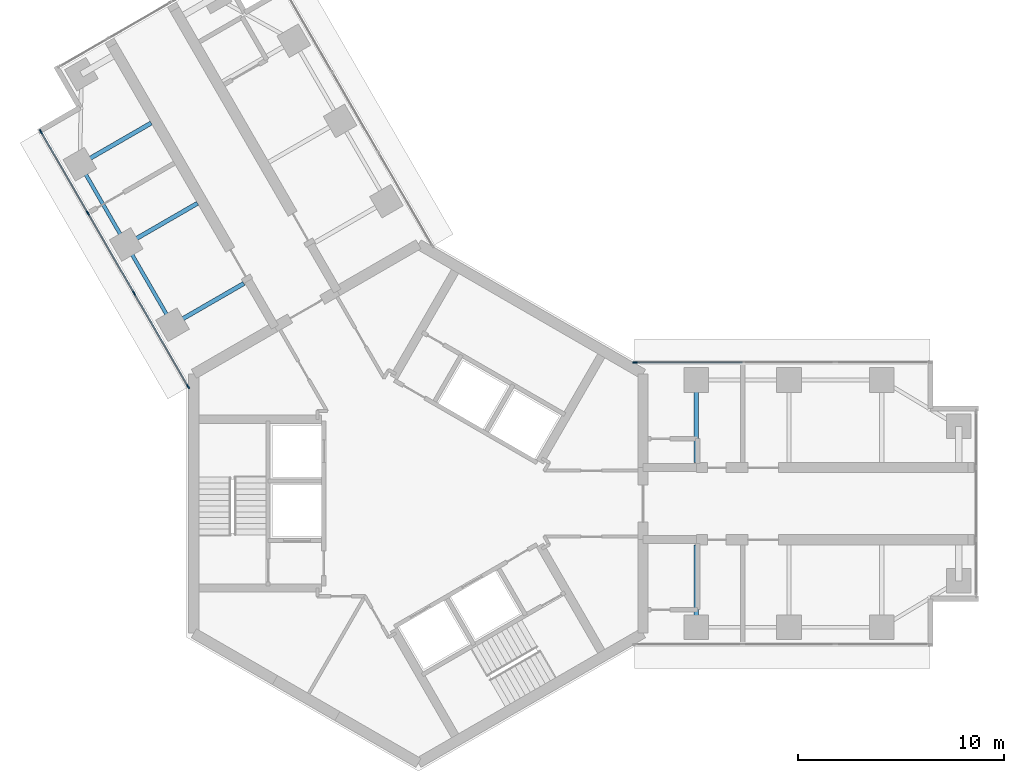
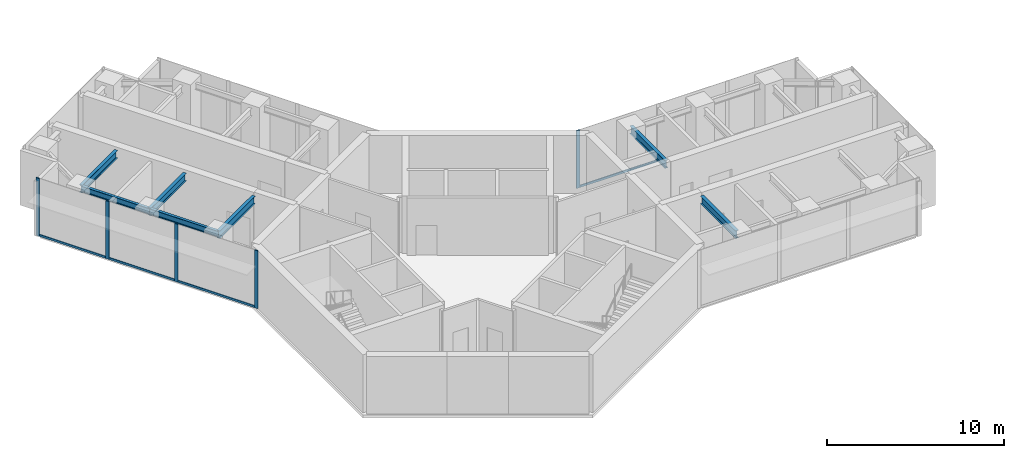
# One storey, part 5 of 17: 9 members, 7 beams, 2 elements without a shape of their own.
"""IFC4 building model written with IfcOpenShell, lengths in metres."""

from ifc_helpers import new_model, si_unit, direction, frame, origin, origin_2d, place, context, subcontext, project, spatial, rectangle, i_section, extrude, material, material_profile, profile_set, type_object, element, aggregate, save


model = new_model("IFC4")

# Units and contexts
model_context = context("Model", 3, precision=1e-05, world=origin(), true_north=direction((0.0, 1.0)))
body_context = subcontext(model_context, "Body", "Model", "MODEL_VIEW")
ifc_project = project(units=[si_unit("LENGTHUNIT", "METRE"), si_unit("AREAUNIT", "SQUARE_METRE"), si_unit("VOLUMEUNIT", "CUBIC_METRE"), si_unit("PLANEANGLEUNIT", "RADIAN"), si_unit("MASSUNIT", "GRAM", prefix="KILO")], contexts=[model_context])

# Site, building, storey
site_placement = place(None, origin())
site = spatial("IfcSite", under=ifc_project, at=site_placement, CompositionType="ELEMENT")
building_placement = place(site_placement, origin())
building = spatial("IfcBuilding", under=site, at=building_placement, Name="Upepo Twin Towers", CompositionType="ELEMENT")
storey_placement = place(building_placement, frame((0.0, 0.0, 174.5)))
storey = spatial("IfcBuildingStorey", under=building, at=storey_placement, Name="L42", CompositionType="ELEMENT", Elevation=174.5)

# Beams
ifc_material_1 = material(Name="Steel S355", Category="steel")
ifc_material_profile_1 = material_profile(ifc_material_1, i_section(OverallWidth=0.177978515625, OverallDepth=0.406494140625, WebThickness=0.0078125, FlangeThickness=0.0126953125, FilletRadius=0.01025390625, at=origin_2d()), Name="UB 406x178x60")
ifc_profile_set_1 = profile_set([ifc_material_profile_1], Name="Steel S355")
beam_type_1 = type_object("IfcBeamType", Name="Beam UB 406x178x60", PredefinedType="BEAM", material=ifc_profile_set_1)
beam_1_placement = place(storey_placement, frame((-11.946044921875, 8.69140625, 3.5966796875), z_axis=(-0.500013631625, 0.866017533419, 0.0), x_axis=(-0.866017533419, -0.500013631625, 0.0)))
element("IfcBeam", 1, at=beam_1_placement, inside=storey, type_object=beam_type_1, Name="T1 edge beam BL 13.5-18.0", PredefinedType="BEAM", context=body_context, shape_type="SweptSolid", body=[
    extrude(i_section(OverallWidth=0.177978515625, OverallDepth=0.406494140625, WebThickness=0.0078125, FlangeThickness=0.0126953125, FilletRadius=0.01025390625, at=origin_2d()), origin(), (0.0, 0.0, 1.0), 4.499755859375),
])
beam_2_placement = place(storey_placement, frame((-14.196044921875, 12.58837890625, 3.5966796875), z_axis=(-0.499990139034, 0.866031096941, 0.0), x_axis=(-0.866031096941, -0.499990139034, 0.0)))
element("IfcBeam", 2, at=beam_2_placement, inside=storey, type_object=beam_type_1, Name="T1 edge beam BL 18.0-22.5", PredefinedType="BEAM", context=body_context, shape_type="SweptSolid", body=[
    extrude(i_section(OverallWidth=0.177978515625, OverallDepth=0.406494140625, WebThickness=0.0078125, FlangeThickness=0.0126953125, FilletRadius=0.01025390625, at=origin_2d()), origin(), (0.0, 0.0, 1.0), 4.5),
])
ifc_material_2 = material(Name="Steel S355", Category="steel")
ifc_material_profile_2 = material_profile(ifc_material_2, i_section(OverallWidth=0.209228515625, OverallDepth=0.533203125, WebThickness=0.010009765625, FlangeThickness=0.015625, FilletRadius=0.0126953125, at=origin_2d()), Name="UB 533x210x92")
ifc_profile_set_2 = profile_set([ifc_material_profile_2], Name="Steel S355")
beam_type_2 = type_object("IfcBeamType", Name="Beam UB 533x210x92", PredefinedType="BEAM", material=ifc_profile_set_2)
for number, where, z_axis, x_axis, name in (
    (3, (13.5, 6.0, 3.533447265625), (0.0, -1.0, 0.0), (1.0, 0.0, 0.0), "T1 girder AL at 13.5"),
    (4, (13.5, -6.0, 3.533447265625), (0.0, 1.0, 0.0), (-1.0, 0.0, 0.0), "T1 girder AR at 13.5"),
    (5, (-11.946044921875, 8.69140625, 3.533447265625), (0.866026010844, 0.49999894854, 0.0), (-0.49999894854, 0.866026010844, 0.0), "T1 girder BL at 13.5"),
    (6, (-14.196044921875, 12.58837890625, 3.533447265625), (0.866026010844, 0.49999894854, 0.0), (-0.49999894854, 0.866026010844, 0.0), "T1 girder BL at 18.0"),
    (7, (-16.446044921875, 16.485595703125, 3.533447265625), (0.866026010844, 0.49999894854, 0.0), (-0.49999894854, 0.866026010844, 0.0), "T1 girder BL at 22.5"),
):
    element("IfcBeam", number, at=place(storey_placement, frame(where, z_axis=z_axis, x_axis=x_axis)), inside=storey, type_object=beam_type_2, Name=name, PredefinedType="BEAM", context=body_context, shape_type="SweptSolid", body=[
        extrude(i_section(OverallWidth=0.209228515625, OverallDepth=0.533203125, WebThickness=0.010009765625, FlangeThickness=0.015625, FilletRadius=0.0126953125, at=origin_2d()), origin(), (0.0, 0.0, 1.0), 4.0),
    ])

# Curtain wall, member
ifc_material_3 = material(Name="Aluminium and fritted glass", Category="aluminium")
curtain_wall_type = type_object("IfcCurtainWallType", Name="Tower curtain wall TW3, fritted glass", PredefinedType="NOTDEFINED", material=ifc_material_3)
curtain_wall_1_placement = place(storey_placement, origin())
curtain_wall_1 = element("IfcCurtainWall", 8, at=curtain_wall_1_placement, inside=storey, type_object=curtain_wall_type, Name="T1 L42 wing A flank L curtain wall", PredefinedType="NOTDEFINED")
ifc_material_4 = material(Name="Aluminium mullion", Category="aluminium")
ifc_material_profile_3 = material_profile(ifc_material_4, rectangle(XDim=0.06494140625, YDim=0.22509765625, at=origin_2d()), Name="MULLION 65x225")
ifc_profile_set_3 = profile_set([ifc_material_profile_3], Name="Aluminium mullion")
member_type_1 = type_object("IfcMemberType", Name="Mullion 65x225 TW3", PredefinedType="MULLION", material=ifc_profile_set_3)
member_1_placement = place(storey_placement, frame((10.51953125, 6.85009765625, 0.0), z_axis=(0.0, 0.0, 1.0), x_axis=(0.0, 1.0, 0.0)))
member_1 = element("IfcMember", 9, at=member_1_placement, type_object=member_type_1, Name="T1 L42 wing A flank L curtain wall mullion 1", PredefinedType="MULLION", context=body_context, shape_type="SweptSolid", body=[
    extrude(rectangle(XDim=0.06494140625, YDim=0.22509765625, at=origin_2d()), origin(), (0.0, 0.0, 1.0), 4.0),
])

# Curtain wall, members
curtain_wall_2_placement = place(storey_placement, origin())
curtain_wall_2 = element("IfcCurtainWall", 10, at=curtain_wall_2_placement, inside=storey, type_object=curtain_wall_type, Name="T1 L42 wing B flank L curtain wall", PredefinedType="NOTDEFINED")
member_2_placement = place(storey_placement, frame((-11.192138671875, 5.685302734375, 0.0), z_axis=(0.0, 0.0, 1.0), x_axis=(-0.866025388469, -0.500000026527, 0.0)))
member_2 = element("IfcMember", 11, at=member_2_placement, type_object=member_type_1, Name="T1 L42 wing B flank L curtain wall mullion 1", PredefinedType="MULLION", context=body_context, shape_type="SweptSolid", body=[
    extrude(rectangle(XDim=0.06494140625, YDim=0.22509765625, at=origin_2d()), origin(), (0.0, 0.0, 1.0), 4.0),
])
member_3_placement = place(storey_placement, frame((-13.807373046875, 10.21484375, 0.0), z_axis=(0.0, 0.0, 1.0), x_axis=(-0.866025388469, -0.500000026527, 0.0)))
member_3 = element("IfcMember", 12, at=member_3_placement, type_object=member_type_1, Name="T1 L42 wing B flank L curtain wall mullion 2", PredefinedType="MULLION", context=body_context, shape_type="SweptSolid", body=[
    extrude(rectangle(XDim=0.06494140625, YDim=0.22509765625, at=origin_2d()), origin(), (0.0, 0.0, 1.0), 4.0),
])
member_4_placement = place(storey_placement, frame((-16.057373046875, 14.112060546875, 0.0), z_axis=(0.0, 0.0, 1.0), x_axis=(-0.866025388469, -0.500000026527, 0.0)))
member_4 = element("IfcMember", 13, at=member_4_placement, type_object=member_type_1, Name="T1 L42 wing B flank L curtain wall mullion 3", PredefinedType="MULLION", context=body_context, shape_type="SweptSolid", body=[
    extrude(rectangle(XDim=0.06494140625, YDim=0.22509765625, at=origin_2d()), origin(), (0.0, 0.0, 1.0), 4.0),
])
member_5_placement = place(storey_placement, frame((-18.341064453125, 18.067626953125, 0.0), z_axis=(0.0, 0.0, 1.0), x_axis=(-0.866025388469, -0.500000026527, 0.0)))
member_5 = element("IfcMember", 14, at=member_5_placement, type_object=member_type_1, Name="T1 L42 wing B flank L curtain wall mullion 4", PredefinedType="MULLION", context=body_context, shape_type="SweptSolid", body=[
    extrude(rectangle(XDim=0.06494140625, YDim=0.22509765625, at=origin_2d()), origin(), (0.0, 0.0, 1.0), 4.0),
])

# Member
ifc_material_5 = material(Name="Aluminium transom", Category="aluminium")
ifc_material_profile_4 = material_profile(ifc_material_5, rectangle(XDim=0.06494140625, YDim=0.14990234375, at=origin_2d()), Name="TRANSOM 65x150")
ifc_profile_set_4 = profile_set([ifc_material_profile_4], Name="Aluminium transom")
member_type_2 = type_object("IfcMemberType", Name="Transom 65x150 TW3", PredefinedType="USERDEFINED", material=ifc_profile_set_4)
member_6_placement = place(storey_placement, frame((10.552001953125, 6.85009765625, 0.074951171875), z_axis=(1.0, 0.0, 0.0), x_axis=(0.0, 1.0, 0.0)))
member_6 = element("IfcMember", 15, at=member_6_placement, type_object=member_type_2, Name="T1 L42 wing A flank L curtain wall transom 1", ObjectType="TRANSOM", PredefinedType="USERDEFINED", context=body_context, shape_type="SweptSolid", body=[
    extrude(rectangle(XDim=0.06494140625, YDim=0.14990234375, at=origin_2d()), origin(), (0.0, 0.0, 1.0), 5.16552734375),
])

aggregate(curtain_wall_1, [member_1, member_6])

member_7_placement = place(storey_placement, frame((-11.208251953125, 5.71337890625, 0.074951171875), z_axis=(-0.500007480159, 0.86602108507, 0.0), x_axis=(-0.86602108507, -0.500007480159, 0.0)))
member_7 = element("IfcMember", 16, at=member_7_placement, type_object=member_type_2, Name="T1 L42 wing B flank L curtain wall transom 1", ObjectType="TRANSOM", PredefinedType="USERDEFINED", context=body_context, shape_type="SweptSolid", body=[
    extrude(rectangle(XDim=0.06494140625, YDim=0.14990234375, at=origin_2d()), origin(), (0.0, 0.0, 1.0), 5.16552734375),
])

member_8_placement = place(storey_placement, frame((-13.823486328125, 10.2431640625, 0.074951171875), z_axis=(-0.500005184116, 0.866022410713, 0.0), x_axis=(-0.866022410713, -0.500005184116, 0.0)))
member_8 = element("IfcMember", 17, at=member_8_placement, type_object=member_type_2, Name="T1 L42 wing B flank L curtain wall transom 2", ObjectType="TRANSOM", PredefinedType="USERDEFINED", context=body_context, shape_type="SweptSolid", body=[
    extrude(rectangle(XDim=0.06494140625, YDim=0.14990234375, at=origin_2d()), origin(), (0.0, 0.0, 1.0), 4.43505859375),
])

member_9_placement = place(storey_placement, frame((-16.073486328125, 14.14013671875, 0.074951171875), z_axis=(-0.499982167615, 0.866035699072, 0.0), x_axis=(-0.866035699072, -0.499982167615, 0.0)))
member_9 = element("IfcMember", 18, at=member_9_placement, type_object=member_type_2, Name="T1 L42 wing B flank L curtain wall transom 3", ObjectType="TRANSOM", PredefinedType="USERDEFINED", context=body_context, shape_type="SweptSolid", body=[
    extrude(rectangle(XDim=0.06494140625, YDim=0.14990234375, at=origin_2d()), origin(), (0.0, 0.0, 1.0), 4.502685546875),
])

aggregate(curtain_wall_2, [member_2, member_3, member_4, member_5, member_7, member_8, member_9])

save(model, "model.ifc")
